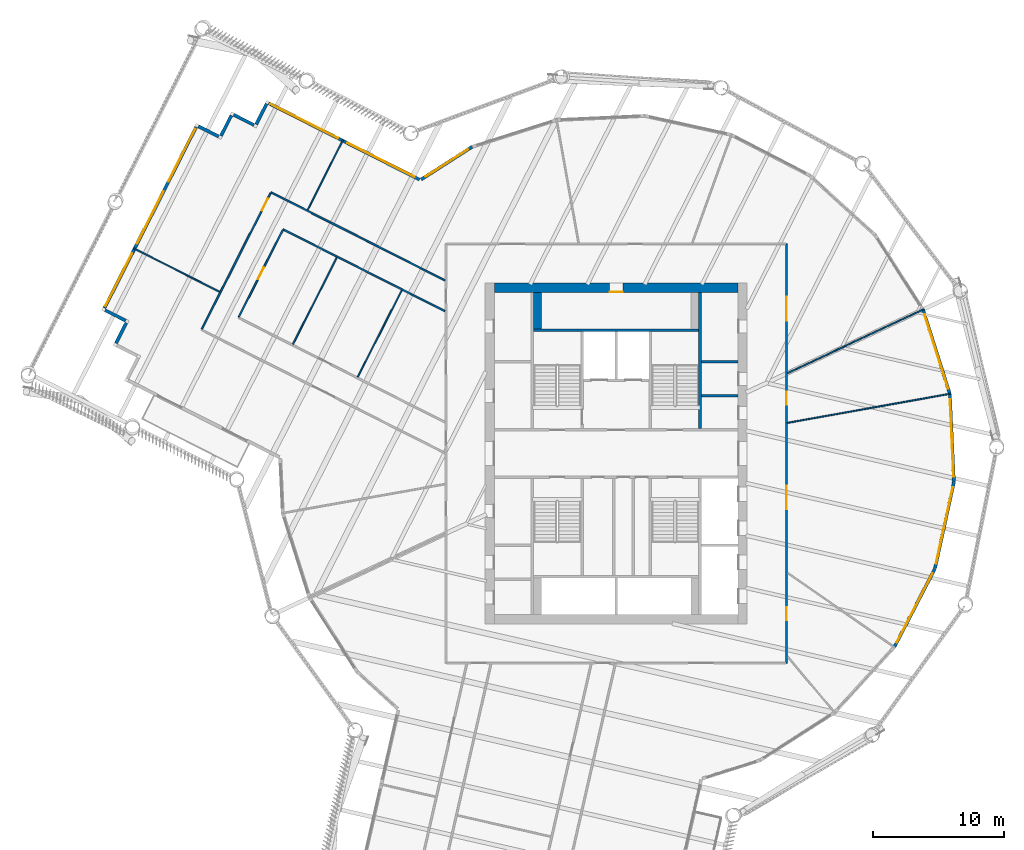
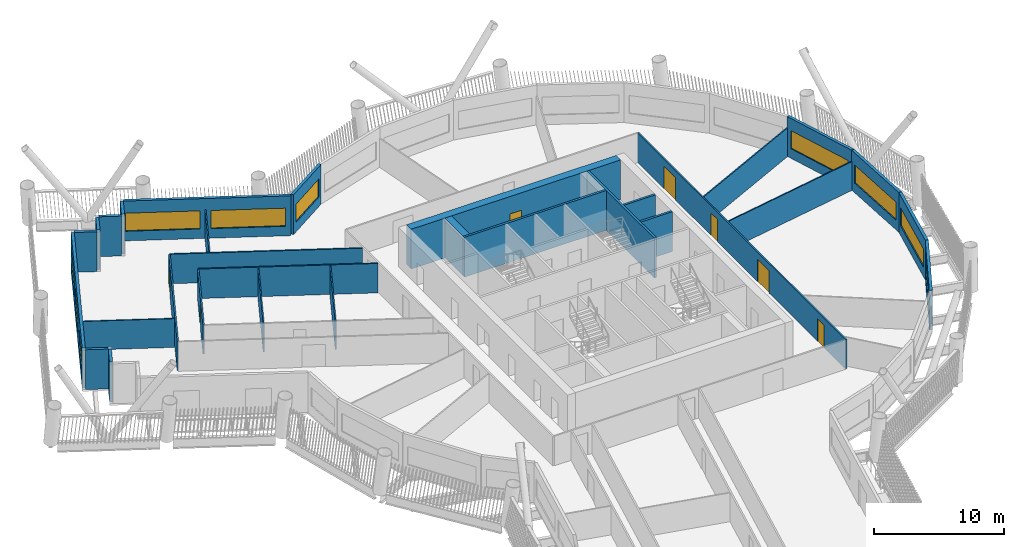
# One storey, part 6 of 21: 30 walls, 10 windows, 7 doors, 17 openings.
"""IFC4 building model written with IfcOpenShell, lengths in metres."""

from ifc_helpers import new_model, si_unit, direction, frame, frame_2d, origin, place, context, subcontext, project, spatial, rectangle, extrude, material, layer, layer_set, type_object, element, fill, save


model = new_model("IFC4")

# Units and contexts
model_context = context("Model", 3, precision=1e-05, world=origin(), true_north=direction((0.0, 1.0)))
body_context = subcontext(model_context, "Body", "Model", "MODEL_VIEW")
ifc_project = project(units=[si_unit("LENGTHUNIT", "METRE"), si_unit("AREAUNIT", "SQUARE_METRE"), si_unit("VOLUMEUNIT", "CUBIC_METRE"), si_unit("PLANEANGLEUNIT", "RADIAN"), si_unit("MASSUNIT", "GRAM", prefix="KILO")], contexts=[model_context])

# Site, building, storey
site_placement = place(None, origin())
site = spatial("IfcSite", under=ifc_project, at=site_placement, CompositionType="ELEMENT")
building_placement = place(site_placement, origin())
building = spatial("IfcBuilding", under=site, at=building_placement, Name="Tarsis Ring Headquarters", CompositionType="ELEMENT")
storey_placement = place(building_placement, frame((0.0, 0.0, 171.0)))
storey = spatial("IfcBuildingStorey", under=building, at=storey_placement, Name="L39", CompositionType="ELEMENT", Elevation=171.0)

# Walls
ifc_material_1 = material(Name="Blockwork", Category="masonry")
ifc_layer_1 = layer(ifc_material_1, 0.199951171875)
ifc_layer_set_1 = layer_set([ifc_layer_1], Name="Core blockwork wall 200")
wall_type_1 = type_object("IfcWallType", Name="Core blockwork wall 200", PredefinedType="PARTITIONING", material=ifc_layer_set_1)
for number, where, z_axis, x_axis, name in (
    (1, (6.5, 4.39990234375, 0.0), (0.0, 0.0, 1.0), (1.0, 0.0, 0.0), "Core partition ED5"),
    (2, (6.5, 7.0, 0.0), (0.0, 0.0, 1.0), (1.0, 0.0, 0.0), "Core partition ED6"),
):
    element("IfcWall", number, at=place(storey_placement, frame(where, z_axis=z_axis, x_axis=x_axis)), inside=storey, type_object=wall_type_1, Name=name, PredefinedType="PARTITIONING", context=body_context, shape_type="SweptSolid", body=[
        extrude(rectangle(XDim=2.800048828125, YDim=0.199951171875, at=frame_2d((1.39990234375, 0.0))), origin(), (0.0, 0.0, 1.0), 3.739990234375),
    ])

# Wall, opening, door
ifc_material_2 = material(Name="Concrete C60/75", Category="concrete")
ifc_layer_2 = layer(ifc_material_2, 0.699951171875)
ifc_layer_set_2 = layer_set([ifc_layer_2], Name="Core wall 700 C60/75")
wall_type_2 = type_object("IfcWallType", Name="Core wall 700 C60/75", PredefinedType="SHEAR", material=ifc_layer_set_2)
wall_1_placement = place(storey_placement, frame((-9.300048828125, 12.64990234375, 0.0), z_axis=(0.0, 0.0, 1.0), x_axis=(1.0, 0.0, 0.0)))
wall_1 = element("IfcWall", 3, at=wall_1_placement, inside=storey, type_object=wall_type_2, Name="Core wall ON", PredefinedType="SHEAR", context=body_context, shape_type="SweptSolid", body=[
    extrude(rectangle(XDim=18.60009765625, YDim=0.699951171875, at=frame_2d((9.300048828125, 0.0))), origin(), (0.0, 0.0, 1.0), 3.739990234375),
])
opening_1_placement = place(wall_1_placement, frame((8.800048828125, 0.0, 0.0)))
opening_1 = element("IfcOpeningElement", 4, at=opening_1_placement, cuts=wall_1, Name="Opening L39-C15", PredefinedType="OPENING", context=body_context, shape_type="SweptSolid", body=[
    extrude(rectangle(XDim=1.0, YDim=2.10009765625, at=frame_2d((0.5, 1.050048828125))), frame((0.0, 0.35986328125, 0.0), z_axis=(0.0, -1.0, 0.0), x_axis=(1.0, 0.0, 0.0)), (0.0, 0.0, 1.0), 0.719970703125),
])
ifc_material_3 = material(Name="Steel S355", Category="steel")
door_type_1 = type_object("IfcDoorType", Name="Core room door 1000x2100", OperationType="SINGLE_SWING_LEFT", PredefinedType="DOOR", material=ifc_material_3)
door_1_placement = place(opening_1_placement, origin())
door_1 = element("IfcDoor", 5, at=door_1_placement, inside=storey, type_object=door_type_1, Name="Core room door L39", OperationType="SINGLE_SWING_LEFT", OverallHeight=2.10009765625, OverallWidth=1.0, PredefinedType="DOOR", context=body_context, shape_type="SweptSolid", body=[
    extrude(rectangle(XDim=1.0, YDim=2.10009765625, at=frame_2d((0.5, 1.050048828125))), frame((0.0, -0.2998046875, 0.0), z_axis=(0.0, -1.0, 0.0), x_axis=(1.0, 0.0, 0.0)), (0.0, 0.0, 1.0), 0.050048828125),
])
fill(opening_1, door_1)

# Walls
ifc_material_4 = material(Name="Gypsum board on steel studs", Category="steel")
ifc_layer_3 = layer(ifc_material_4, 0.10009765625)
ifc_layer_set_3 = layer_set([ifc_layer_3], Name="FL partition 100 unrated")
wall_type_3 = type_object("IfcWallType", Name="FL partition 100 unrated", PredefinedType="PARTITIONING", material=ifc_layer_set_3)
wall_2_placement = place(storey_placement, frame((13.06884765625, 2.33740234375, 0.0), z_axis=(0.0, 0.0, 1.0), x_axis=(0.984382770142, 0.176041364025, 0.0)))
element("IfcWall", 6, at=wall_2_placement, inside=storey, type_object=wall_type_3, Name="Partition PW3", PredefinedType="PARTITIONING", context=body_context, shape_type="SweptSolid", body=[
    extrude(rectangle(XDim=12.671630859375, YDim=0.10009765625, at=frame_2d((6.3359375, 0.0))), origin(), (0.0, 0.0, 1.0), 2.699951171875),
])
wall_3_placement = place(storey_placement, frame((13.072509765625, 6.134765625, 0.0), z_axis=(0.0, 0.0, 1.0), x_axis=(0.905275910624, 0.424824111421, 0.0)))
element("IfcWall", 7, at=wall_3_placement, inside=storey, type_object=wall_type_3, Name="Partition PW3", PredefinedType="PARTITIONING", context=body_context, shape_type="SweptSolid", body=[
    extrude(rectangle(XDim=11.507568359375, YDim=0.10009765625, at=frame_2d((5.75390625, 0.0))), origin(), (0.0, 0.0, 1.0), 2.699951171875),
])
for number, where, z_axis, x_axis, name in (
    (8, (-24.683837890625, 8.342529296875, 0.0), (0.0, 0.0, 1.0), (0.451827244933, 0.892105453821, 0.0), "Partition PW3"),
    (9, (-19.732666015625, 5.8349609375, 0.0), (0.0, 0.0, 1.0), (0.451827244933, 0.892105453821, 0.0), "Partition PW3"),
):
    element("IfcWall", number, at=place(storey_placement, frame(where, z_axis=z_axis, x_axis=x_axis)), inside=storey, type_object=wall_type_3, Name=name, PredefinedType="PARTITIONING", context=body_context, shape_type="SweptSolid", body=[
        extrude(rectangle(XDim=7.419921875, YDim=0.10009765625, at=frame_2d((3.7099609375, 0.0))), origin(), (0.0, 0.0, 1.0), 2.699951171875),
    ])
wall_4_placement = place(storey_placement, frame((-36.84619140625, 15.66796875, 0.0), z_axis=(0.0, 0.0, 1.0), x_axis=(0.892106555991, -0.451825068757, 0.0)))
element("IfcWall", 10, at=wall_4_placement, inside=storey, type_object=wall_type_3, Name="Partition PW3", PredefinedType="PARTITIONING", context=body_context, shape_type="SweptSolid", body=[
    extrude(rectangle(XDim=7.360107421875, YDim=0.10009765625, at=frame_2d((3.68017578125, 0.0))), origin(), (0.0, 0.0, 1.0), 2.699951171875),
])
wall_5_placement = place(storey_placement, frame((-23.5576171875, 18.600341796875, 0.0), z_axis=(0.0, 0.0, 1.0), x_axis=(0.451813691299, 0.89211231824, 0.0)))
element("IfcWall", 11, at=wall_5_placement, inside=storey, type_object=wall_type_3, Name="Partition PW3", PredefinedType="PARTITIONING", context=body_context, shape_type="SweptSolid", body=[
    extrude(rectangle(XDim=6.000244140625, YDim=0.10009765625, at=frame_2d((3.0, 0.0))), origin(), (0.0, 0.0, 1.0), 2.699951171875),
])

# Wall, openings, doors
ifc_layer_4 = layer(ifc_material_4, 0.125)
ifc_layer_set_4 = layer_set([ifc_layer_4], Name="FL partition 125 EI 60 H2770")
wall_type_4 = type_object("IfcWallType", Name="FL partition 125 EI 60 H2770", PredefinedType="PARTITIONING", material=ifc_layer_set_4)
wall_6_placement = place(storey_placement, frame((13.0, -15.998046875, 0.0), z_axis=(0.0, 0.0, 1.0), x_axis=(0.0, 1.0, 0.0)))
wall_6 = element("IfcWall", 12, at=wall_6_placement, inside=storey, type_object=wall_type_4, Name="Partition PW1", PredefinedType="PARTITIONING", context=body_context, shape_type="SweptSolid", body=[
    extrude(rectangle(XDim=31.998046875, YDim=0.125, at=frame_2d((15.9990234375, 0.0))), origin(), (0.0, 0.0, 1.0), 2.77001953125),
])
opening_2_placement = place(wall_6_placement, frame((26.1484375, 0.0, 0.0)))
opening_2 = element("IfcOpeningElement", 13, at=opening_2_placement, cuts=wall_6, Name="Opening D39.05", PredefinedType="OPENING", context=body_context, shape_type="SweptSolid", body=[
    extrude(rectangle(XDim=1.800048828125, YDim=2.10009765625, at=frame_2d((0.89990234375, 1.050048828125))), frame((0.0, 0.072509765625, 0.0), z_axis=(0.0, -1.0, 0.0), x_axis=(1.0, 0.0, 0.0)), (0.0, 0.0, 1.0), 0.14501953125),
])
opening_3_placement = place(wall_6_placement, frame((19.7109375, 0.0, 0.0)))
opening_3 = element("IfcOpeningElement", 14, at=opening_3_placement, cuts=wall_6, Name="Opening D39.06", PredefinedType="OPENING", context=body_context, shape_type="SweptSolid", body=[
    extrude(rectangle(XDim=1.0, YDim=2.10009765625, at=frame_2d((0.5, 1.050048828125))), frame((0.0, 0.072509765625, 0.0), z_axis=(0.0, -1.0, 0.0), x_axis=(1.0, 0.0, 0.0)), (0.0, 0.0, 1.0), 0.14501953125),
])
opening_4_placement = place(wall_6_placement, frame((11.73291015625, 0.0, 0.0)))
opening_4 = element("IfcOpeningElement", 15, at=opening_4_placement, cuts=wall_6, Name="Opening D39.07", PredefinedType="OPENING", context=body_context, shape_type="SweptSolid", body=[
    extrude(rectangle(XDim=1.800048828125, YDim=2.10009765625, at=frame_2d((0.89990234375, 1.050048828125))), frame((0.0, 0.072509765625, 0.0), z_axis=(0.0, -1.0, 0.0), x_axis=(1.0, 0.0, 0.0)), (0.0, 0.0, 1.0), 0.14501953125),
])
opening_5_placement = place(wall_6_placement, frame((3.26220703125, 0.0, 0.0)))
opening_5 = element("IfcOpeningElement", 16, at=opening_5_placement, cuts=wall_6, Name="Opening D39.08", PredefinedType="OPENING", context=body_context, shape_type="SweptSolid", body=[
    extrude(rectangle(XDim=1.0, YDim=2.10009765625, at=frame_2d((0.5, 1.050048828125))), frame((0.0, 0.072509765625, 0.0), z_axis=(0.0, -1.0, 0.0), x_axis=(1.0, 0.0, 0.0)), (0.0, 0.0, 1.0), 0.14501953125),
])
ifc_material_5 = material(Name="Fire-rated timber door leaf in steel frame", Category="steel")
door_type_2 = type_object("IfcDoorType", Name="FL door FD60-1000", OperationType="NOTDEFINED", PredefinedType="DOOR", material=ifc_material_5)
door_2_placement = place(opening_3_placement, origin())
door_2 = element("IfcDoor", 17, at=door_2_placement, inside=storey, type_object=door_type_2, Name="Door D39.06", OperationType="SINGLE_SWING_LEFT", OverallHeight=2.10009765625, OverallWidth=1.0, PredefinedType="DOOR", context=body_context, shape_type="SweptSolid", body=[
    extrude(rectangle(XDim=1.0, YDim=2.10009765625, at=frame_2d((0.5, 1.050048828125))), frame((0.0, 0.02490234375, 0.0), z_axis=(0.0, -1.0, 0.0), x_axis=(1.0, 0.0, 0.0)), (0.0, 0.0, 1.0), 0.050048828125),
])
fill(opening_3, door_2)
door_3_placement = place(opening_5_placement, origin())
door_3 = element("IfcDoor", 18, at=door_3_placement, inside=storey, type_object=door_type_2, Name="Door D39.08", OperationType="SINGLE_SWING_LEFT", OverallHeight=2.10009765625, OverallWidth=1.0, PredefinedType="DOOR", context=body_context, shape_type="SweptSolid", body=[
    extrude(rectangle(XDim=1.0, YDim=2.10009765625, at=frame_2d((0.5, 1.050048828125))), frame((0.0, 0.02490234375, 0.0), z_axis=(0.0, -1.0, 0.0), x_axis=(1.0, 0.0, 0.0)), (0.0, 0.0, 1.0), 0.050048828125),
])
fill(opening_5, door_3)
door_type_3 = type_object("IfcDoorType", Name="FL door FD60-1800", OperationType="DOUBLE_DOOR_SINGLE_SWING", PredefinedType="DOOR", material=ifc_material_5)
door_4_placement = place(opening_2_placement, origin())
door_4 = element("IfcDoor", 19, at=door_4_placement, inside=storey, type_object=door_type_3, Name="Door D39.05", OperationType="DOUBLE_DOOR_SINGLE_SWING", OverallHeight=2.10009765625, OverallWidth=1.800048828125, PredefinedType="DOOR", context=body_context, shape_type="SweptSolid", body=[
    extrude(rectangle(XDim=1.800048828125, YDim=2.10009765625, at=frame_2d((0.89990234375, 1.050048828125))), frame((0.0, 0.02490234375, 0.0), z_axis=(0.0, -1.0, 0.0), x_axis=(1.0, 0.0, 0.0)), (0.0, 0.0, 1.0), 0.050048828125),
])
fill(opening_2, door_4)
door_5_placement = place(opening_4_placement, origin())
door_5 = element("IfcDoor", 20, at=door_5_placement, inside=storey, type_object=door_type_3, Name="Door D39.07", OperationType="DOUBLE_DOOR_SINGLE_SWING", OverallHeight=2.10009765625, OverallWidth=1.800048828125, PredefinedType="DOOR", context=body_context, shape_type="SweptSolid", body=[
    extrude(rectangle(XDim=1.800048828125, YDim=2.10009765625, at=frame_2d((0.89990234375, 1.050048828125))), frame((0.0, 0.02490234375, 0.0), z_axis=(0.0, -1.0, 0.0), x_axis=(1.0, 0.0, 0.0)), (0.0, 0.0, 1.0), 0.050048828125),
])
fill(opening_4, door_5)

# Walls
wall_7_placement = place(storey_placement, frame((-26.35498046875, 19.938720703125, 0.0), z_axis=(0.0, 0.0, 1.0), x_axis=(0.892108439856, -0.451821349139, 0.0)))
element("IfcWall", 21, at=wall_7_placement, inside=storey, type_object=wall_type_4, Name="Partition PW1", PredefinedType="PARTITIONING", context=body_context, shape_type="SweptSolid", body=[
    extrude(rectangle(XDim=14.880126953125, YDim=0.125, at=frame_2d((7.43994140625, 0.0))), origin(), (0.0, 0.0, 1.0), 2.77001953125),
])
wall_8_placement = place(storey_placement, frame((-25.43017578125, 17.1162109375, 0.0), z_axis=(0.0, 0.0, 1.0), x_axis=(0.892119188368, -0.45180012588, 0.0)))
element("IfcWall", 22, at=wall_8_placement, inside=storey, type_object=wall_type_4, Name="Partition PW1", PredefinedType="PARTITIONING", context=body_context, shape_type="SweptSolid", body=[
    extrude(rectangle(XDim=13.84326171875, YDim=0.125, at=frame_2d((6.921630859375, 0.0))), origin(), (0.0, 0.0, 1.0), 2.77001953125),
])

# Wall, opening, door
wall_9_placement = place(storey_placement, frame((-31.64111328125, 9.500732421875, 0.0), z_axis=(0.0, 0.0, 1.0), x_axis=(0.451805231909, 0.89211660248, 0.0)))
wall_9 = element("IfcWall", 23, at=wall_9_placement, inside=storey, type_object=wall_type_4, Name="Partition PW1", PredefinedType="PARTITIONING", context=body_context, shape_type="SweptSolid", body=[
    extrude(rectangle(XDim=11.64013671875, YDim=0.125, at=frame_2d((5.820068359375, 0.0))), origin(), (0.0, 0.0, 1.0), 2.77001953125),
])
opening_6_placement = place(wall_9_placement, frame((10.14990234375, 0.0, 0.0)))
opening_6 = element("IfcOpeningElement", 24, at=opening_6_placement, cuts=wall_9, Name="Opening D39.02", PredefinedType="OPENING", context=body_context, shape_type="SweptSolid", body=[
    extrude(rectangle(XDim=1.0, YDim=2.10009765625, at=frame_2d((0.5, 1.050048828125))), frame((0.0, 0.072509765625, 0.0), z_axis=(0.0, -1.0, 0.0), x_axis=(1.0, 0.0, 0.0)), (0.0, 0.0, 1.0), 0.14501953125),
])
door_6_placement = place(opening_6_placement, origin())
door_6 = element("IfcDoor", 25, at=door_6_placement, inside=storey, type_object=door_type_2, Name="Door D39.02", OperationType="SINGLE_SWING_LEFT", OverallHeight=2.10009765625, OverallWidth=1.0, PredefinedType="DOOR", context=body_context, shape_type="SweptSolid", body=[
    extrude(rectangle(XDim=1.0, YDim=2.10009765625, at=frame_2d((0.5, 1.050048828125))), frame((0.0, 0.02490234375, 0.0), z_axis=(0.0, -1.0, 0.0), x_axis=(1.0, 0.0, 0.0)), (0.0, 0.0, 1.0), 0.050048828125),
])
fill(opening_6, door_6)

wall_10_placement = place(storey_placement, frame((-28.81884765625, 10.425537109375, 0.0), z_axis=(0.0, 0.0, 1.0), x_axis=(0.451827962532, 0.892105090376, 0.0)))
wall_10 = element("IfcWall", 26, at=wall_10_placement, inside=storey, type_object=wall_type_4, Name="Partition PW1", PredefinedType="PARTITIONING", context=body_context, shape_type="SweptSolid", body=[
    extrude(rectangle(XDim=7.43994140625, YDim=0.125, at=frame_2d((3.719970703125, 0.0))), origin(), (0.0, 0.0, 1.0), 2.77001953125),
])
opening_7_placement = place(wall_10_placement, frame((3.219970703125, 0.0, 0.0)))
opening_7 = element("IfcOpeningElement", 27, at=opening_7_placement, cuts=wall_10, Name="Opening D39.17", PredefinedType="OPENING", context=body_context, shape_type="SweptSolid", body=[
    extrude(rectangle(XDim=1.0, YDim=2.10009765625, at=frame_2d((0.5, 1.050048828125))), frame((0.0, 0.072509765625, 0.0), z_axis=(0.0, -1.0, 0.0), x_axis=(1.0, 0.0, 0.0)), (0.0, 0.0, 1.0), 0.14501953125),
])
door_7_placement = place(opening_7_placement, origin())
door_7 = element("IfcDoor", 28, at=door_7_placement, inside=storey, type_object=door_type_2, Name="Door D39.17", OperationType="SINGLE_SWING_RIGHT", OverallHeight=2.10009765625, OverallWidth=1.0, PredefinedType="DOOR", context=body_context, shape_type="SweptSolid", body=[
    extrude(rectangle(XDim=1.0, YDim=2.10009765625, at=frame_2d((0.5, 1.050048828125))), frame((0.0, 0.02490234375, 0.0), z_axis=(0.0, -1.0, 0.0), x_axis=(1.0, 0.0, 0.0)), (0.0, 0.0, 1.0), 0.050048828125),
])
fill(opening_7, door_7)

# Wall, opening, window
ifc_material_6 = material(Name="Terracotta clad insulated panel wall", Category="masonry")
ifc_layer_5 = layer(ifc_material_6, 0.25)
ifc_layer_set_5 = layer_set([ifc_layer_5], Name="Facade wall terracotta panel 250")
wall_type_5 = type_object("IfcWallType", Name="Facade wall terracotta panel 250", PredefinedType="STANDARD", material=ifc_layer_set_5)
wall_11_placement = place(storey_placement, frame((21.238525390625, -14.774169921875, 0.0), z_axis=(0.0, 0.0, 1.0), x_axis=(0.45959287136, 0.888129716086, 0.0)))
wall_11 = element("IfcWall", 29, at=wall_11_placement, inside=storey, type_object=wall_type_5, Name="External wall L39-20", PredefinedType="STANDARD", context=body_context, shape_type="SweptSolid", body=[
    extrude(rectangle(XDim=6.721435546875, YDim=0.25, at=frame_2d((3.36083984375, 0.0))), origin(), (0.0, 0.0, 1.0), 3.739990234375),
])
opening_8_placement = place(wall_11_placement, frame((0.3857421875, 0.0, 0.89990234375)))
opening_8 = element("IfcOpeningElement", 30, at=opening_8_placement, cuts=wall_11, Name="Opening WN07", PredefinedType="OPENING", context=body_context, shape_type="SweptSolid", body=[
    extrude(rectangle(XDim=5.949951171875, YDim=1.699951171875, at=frame_2d((2.97509765625, 0.85009765625))), frame((0.0, 0.135009765625, 0.0), z_axis=(0.0, -1.0, 0.0), x_axis=(1.0, 0.0, 0.0)), (0.0, 0.0, 1.0), 0.27001953125),
])
ifc_material_7 = material(Name="Aluminium framed double glazing", Category="aluminium")
window_type_1 = type_object("IfcWindowType", Name="Facade window 5950 x 1700", PartitioningType="SINGLE_PANEL", PredefinedType="WINDOW", material=ifc_material_7)
window_1_placement = place(opening_8_placement, origin())
window_1 = element("IfcWindow", 31, at=window_1_placement, inside=storey, type_object=window_type_1, Name="Window L39-20.1", OverallHeight=1.699951171875, OverallWidth=5.949951171875, PartitioningType="SINGLE_PANEL", PredefinedType="WINDOW", context=body_context, shape_type="SweptSolid", body=[
    extrude(rectangle(XDim=5.949951171875, YDim=1.699951171875, at=frame_2d((2.97509765625, 0.85009765625))), frame((0.0, 0.030029296875, 0.0), z_axis=(0.0, -1.0, 0.0), x_axis=(1.0, 0.0, 0.0)), (0.0, 0.0, 1.0), 0.06005859375),
])
fill(opening_8, window_1)

wall_12_placement = place(storey_placement, frame((24.338623046875, -8.77392578125, 0.0), z_axis=(0.0, 0.0, 1.0), x_axis=(0.214048919685, 0.976822941982, 0.0)))
wall_12 = element("IfcWall", 32, at=wall_12_placement, inside=storey, type_object=wall_type_5, Name="External wall L39-21", PredefinedType="STANDARD", context=body_context, shape_type="SweptSolid", body=[
    extrude(rectangle(XDim=6.721435546875, YDim=0.25, at=frame_2d((3.36083984375, 0.0))), origin(), (0.0, 0.0, 1.0), 3.739990234375),
])
opening_9_placement = place(wall_12_placement, frame((0.3857421875, 0.0, 0.89990234375)))
opening_9 = element("IfcOpeningElement", 33, at=opening_9_placement, cuts=wall_12, Name="Opening WN07", PredefinedType="OPENING", context=body_context, shape_type="SweptSolid", body=[
    extrude(rectangle(XDim=5.949951171875, YDim=1.699951171875, at=frame_2d((2.97509765625, 0.85009765625))), frame((0.0, 0.135009765625, 0.0), z_axis=(0.0, -1.0, 0.0), x_axis=(1.0, 0.0, 0.0)), (0.0, 0.0, 1.0), 0.27001953125),
])
window_2_placement = place(opening_9_placement, origin())
window_2 = element("IfcWindow", 34, at=window_2_placement, inside=storey, type_object=window_type_1, Name="Window L39-21.1", OverallHeight=1.699951171875, OverallWidth=5.949951171875, PartitioningType="SINGLE_PANEL", PredefinedType="WINDOW", context=body_context, shape_type="SweptSolid", body=[
    extrude(rectangle(XDim=5.949951171875, YDim=1.699951171875, at=frame_2d((2.97509765625, 0.85009765625))), frame((0.0, 0.030029296875, 0.0), z_axis=(0.0, -1.0, 0.0), x_axis=(1.0, 0.0, 0.0)), (0.0, 0.0, 1.0), 0.06005859375),
])
fill(opening_9, window_2)

wall_13_placement = place(storey_placement, frame((25.780029296875, -2.175537109375, 0.0), z_axis=(0.0, 0.0, 1.0), x_axis=(-0.046056811371, 0.998938822014, 0.0)))
wall_13 = element("IfcWall", 35, at=wall_13_placement, inside=storey, type_object=wall_type_5, Name="External wall L39-22", PredefinedType="STANDARD", context=body_context, shape_type="SweptSolid", body=[
    extrude(rectangle(XDim=6.721435546875, YDim=0.25, at=frame_2d((3.36083984375, 0.0))), origin(), (0.0, 0.0, 1.0), 3.739990234375),
])
opening_10_placement = place(wall_13_placement, frame((0.3857421875, 0.0, 0.89990234375)))
opening_10 = element("IfcOpeningElement", 36, at=opening_10_placement, cuts=wall_13, Name="Opening WN07", PredefinedType="OPENING", context=body_context, shape_type="SweptSolid", body=[
    extrude(rectangle(XDim=5.949951171875, YDim=1.699951171875, at=frame_2d((2.97509765625, 0.85009765625))), frame((0.0, 0.135009765625, 0.0), z_axis=(0.0, -1.0, 0.0), x_axis=(1.0, 0.0, 0.0)), (0.0, 0.0, 1.0), 0.27001953125),
])
window_3_placement = place(opening_10_placement, origin())
window_3 = element("IfcWindow", 37, at=window_3_placement, inside=storey, type_object=window_type_1, Name="Window L39-22.1", OverallHeight=1.699951171875, OverallWidth=5.949951171875, PartitioningType="SINGLE_PANEL", PredefinedType="WINDOW", context=body_context, shape_type="SweptSolid", body=[
    extrude(rectangle(XDim=5.949951171875, YDim=1.699951171875, at=frame_2d((2.97509765625, 0.85009765625))), frame((0.0, 0.030029296875, 0.0), z_axis=(0.0, -1.0, 0.0), x_axis=(1.0, 0.0, 0.0)), (0.0, 0.0, 1.0), 0.06005859375),
])
fill(opening_10, window_3)

wall_14_placement = place(storey_placement, frame((25.46484375, 4.57080078125, 0.0), z_axis=(0.0, 0.0, 1.0), x_axis=(-0.303034240795, 0.952979668674, 0.0)))
wall_14 = element("IfcWall", 38, at=wall_14_placement, inside=storey, type_object=wall_type_5, Name="External wall L39-23", PredefinedType="STANDARD", context=body_context, shape_type="SweptSolid", body=[
    extrude(rectangle(XDim=6.7216796875, YDim=0.25, at=frame_2d((3.36083984375, 0.0))), origin(), (0.0, 0.0, 1.0), 3.739990234375),
])
opening_11_placement = place(wall_14_placement, frame((0.3857421875, 0.0, 0.89990234375)))
opening_11 = element("IfcOpeningElement", 39, at=opening_11_placement, cuts=wall_14, Name="Opening WN07", PredefinedType="OPENING", context=body_context, shape_type="SweptSolid", body=[
    extrude(rectangle(XDim=5.949951171875, YDim=1.699951171875, at=frame_2d((2.97509765625, 0.85009765625))), frame((0.0, 0.135009765625, 0.0), z_axis=(0.0, -1.0, 0.0), x_axis=(1.0, 0.0, 0.0)), (0.0, 0.0, 1.0), 0.27001953125),
])
window_4_placement = place(opening_11_placement, origin())
window_4 = element("IfcWindow", 40, at=window_4_placement, inside=storey, type_object=window_type_1, Name="Window L39-23.1", OverallHeight=1.699951171875, OverallWidth=5.949951171875, PartitioningType="SINGLE_PANEL", PredefinedType="WINDOW", context=body_context, shape_type="SweptSolid", body=[
    extrude(rectangle(XDim=5.949951171875, YDim=1.699951171875, at=frame_2d((2.97509765625, 0.85009765625))), frame((0.0, 0.030029296875, 0.0), z_axis=(0.0, -1.0, 0.0), x_axis=(1.0, 0.0, 0.0)), (0.0, 0.0, 1.0), 0.06005859375),
])
fill(opening_11, window_4)

wall_15_placement = place(storey_placement, frame((-11.005859375, 23.4140625, 0.0), z_axis=(0.0, 0.0, 1.0), x_axis=(-0.842077397742, -0.539356705912, 0.0)))
wall_15 = element("IfcWall", 41, at=wall_15_placement, inside=storey, type_object=wall_type_5, Name="External wall L39-30", PredefinedType="STANDARD", context=body_context, shape_type="SweptSolid", body=[
    extrude(rectangle(XDim=4.617919921875, YDim=0.25, at=frame_2d((2.30908203125, 0.0))), origin(), (0.0, 0.0, 1.0), 3.739990234375),
])
opening_12_placement = place(wall_15_placement, frame((0.367431640625, 0.0, 0.89990234375)))
opening_12 = element("IfcOpeningElement", 42, at=opening_12_placement, cuts=wall_15, Name="Opening WN02", PredefinedType="OPENING", context=body_context, shape_type="SweptSolid", body=[
    extrude(rectangle(XDim=3.85009765625, YDim=1.699951171875, at=frame_2d((1.925048828125, 0.85009765625))), frame((0.0, 0.135009765625, 0.0), z_axis=(0.0, -1.0, 0.0), x_axis=(1.0, 0.0, 0.0)), (0.0, 0.0, 1.0), 0.27001953125),
])
window_type_2 = type_object("IfcWindowType", Name="Facade window 3850 x 1700", PartitioningType="SINGLE_PANEL", PredefinedType="WINDOW", material=ifc_material_7)
window_5_placement = place(opening_12_placement, origin())
window_5 = element("IfcWindow", 43, at=window_5_placement, inside=storey, type_object=window_type_2, Name="Window L39-30.1", OverallHeight=1.699951171875, OverallWidth=3.85009765625, PartitioningType="SINGLE_PANEL", PredefinedType="WINDOW", context=body_context, shape_type="SweptSolid", body=[
    extrude(rectangle(XDim=3.85009765625, YDim=1.699951171875, at=frame_2d((1.925048828125, 0.85009765625))), frame((0.0, 0.030029296875, 0.0), z_axis=(0.0, -1.0, 0.0), x_axis=(1.0, 0.0, 0.0)), (0.0, 0.0, 1.0), 0.06005859375),
])
fill(opening_12, window_5)

# Wall, openings, windows
wall_16_placement = place(storey_placement, frame((-15.018310546875, 20.917236328125, 0.0), z_axis=(0.0, 0.0, 1.0), x_axis=(-0.892118057342, 0.451802359185, 0.0)))
wall_16 = element("IfcWall", 44, at=wall_16_placement, inside=storey, type_object=wall_type_5, Name="External wall L39-31", PredefinedType="STANDARD", context=body_context, shape_type="SweptSolid", body=[
    extrude(rectangle(XDim=12.9013671875, YDim=0.25, at=frame_2d((6.45068359375, 0.0))), origin(), (0.0, 0.0, 1.0), 3.739990234375),
])
opening_13_placement = place(wall_16_placement, frame((0.412841796875, 0.0, 0.89990234375)))
opening_13 = element("IfcOpeningElement", 45, at=opening_13_placement, cuts=wall_16, Name="Opening WN06", PredefinedType="OPENING", context=body_context, shape_type="SweptSolid", body=[
    extrude(rectangle(XDim=5.75, YDim=1.699951171875, at=frame_2d((2.875, 0.85009765625))), frame((0.0, 0.135009765625, 0.0), z_axis=(0.0, -1.0, 0.0), x_axis=(1.0, 0.0, 0.0)), (0.0, 0.0, 1.0), 0.27001953125),
])
opening_14_placement = place(wall_16_placement, frame((6.988525390625, 0.0, 0.89990234375)))
opening_14 = element("IfcOpeningElement", 46, at=opening_14_placement, cuts=wall_16, Name="Opening WN06", PredefinedType="OPENING", context=body_context, shape_type="SweptSolid", body=[
    extrude(rectangle(XDim=5.75, YDim=1.699951171875, at=frame_2d((2.875, 0.85009765625))), frame((0.0, 0.135009765625, 0.0), z_axis=(0.0, -1.0, 0.0), x_axis=(1.0, 0.0, 0.0)), (0.0, 0.0, 1.0), 0.27001953125),
])
window_type_3 = type_object("IfcWindowType", Name="Facade window 5750 x 1700", PartitioningType="SINGLE_PANEL", PredefinedType="WINDOW", material=ifc_material_7)
window_6_placement = place(opening_13_placement, origin())
window_6 = element("IfcWindow", 47, at=window_6_placement, inside=storey, type_object=window_type_3, Name="Window L39-31.1", OverallHeight=1.699951171875, OverallWidth=5.75, PartitioningType="SINGLE_PANEL", PredefinedType="WINDOW", context=body_context, shape_type="SweptSolid", body=[
    extrude(rectangle(XDim=5.75, YDim=1.699951171875, at=frame_2d((2.875, 0.85009765625))), frame((0.0, 0.030029296875, 0.0), z_axis=(0.0, -1.0, 0.0), x_axis=(1.0, 0.0, 0.0)), (0.0, 0.0, 1.0), 0.06005859375),
])
fill(opening_13, window_6)
window_7_placement = place(opening_14_placement, origin())
window_7 = element("IfcWindow", 48, at=window_7_placement, inside=storey, type_object=window_type_3, Name="Window L39-31.2", OverallHeight=1.699951171875, OverallWidth=5.75, PartitioningType="SINGLE_PANEL", PredefinedType="WINDOW", context=body_context, shape_type="SweptSolid", body=[
    extrude(rectangle(XDim=5.75, YDim=1.699951171875, at=frame_2d((2.875, 0.85009765625))), frame((0.0, 0.030029296875, 0.0), z_axis=(0.0, -1.0, 0.0), x_axis=(1.0, 0.0, 0.0)), (0.0, 0.0, 1.0), 0.06005859375),
])
fill(opening_14, window_7)

# Walls
wall_17_placement = place(storey_placement, frame((-26.69580078125, 26.691162109375, 0.0), z_axis=(0.0, 0.0, 1.0), x_axis=(-0.451727954529, -0.892155734778, 0.0)))
element("IfcWall", 49, at=wall_17_placement, inside=storey, type_object=wall_type_5, Name="External wall L39-32", PredefinedType="STANDARD", context=body_context, shape_type="SweptSolid", body=[
    extrude(rectangle(XDim=1.75, YDim=0.25, at=frame_2d((0.875, 0.0))), origin(), (0.0, 0.0, 1.0), 3.739990234375),
])
wall_18_placement = place(storey_placement, frame((-27.654541015625, 25.074951171875, 0.0), z_axis=(0.0, 0.0, 1.0), x_axis=(-0.892127261653, 0.451784184115, 0.0)))
element("IfcWall", 50, at=wall_18_placement, inside=storey, type_object=wall_type_5, Name="External wall L39-33", PredefinedType="STANDARD", context=body_context, shape_type="SweptSolid", body=[
    extrude(rectangle(XDim=1.749755859375, YDim=0.25, at=frame_2d((0.875, 0.0))), origin(), (0.0, 0.0, 1.0), 3.739990234375),
])
for number, where, z_axis, x_axis, name in (
    (51, (-29.383544921875, 25.810546875, 0.0), (0.0, 0.0, 1.0), (-0.451838984547, -0.892099507927, 0.0), "External wall L39-34"),
    (52, (-30.34228515625, 24.1943359375, 0.0), (0.0, 0.0, 1.0), (-0.892155734778, 0.451727954529, 0.0), "External wall L39-35"),
):
    element("IfcWall", number, at=place(storey_placement, frame(where, z_axis=z_axis, x_axis=x_axis)), inside=storey, type_object=wall_type_5, Name=name, PredefinedType="STANDARD", context=body_context, shape_type="SweptSolid", body=[
        extrude(rectangle(XDim=1.75, YDim=0.25, at=frame_2d((0.875, 0.0))), origin(), (0.0, 0.0, 1.0), 3.739990234375),
    ])

# Wall, openings, windows
wall_19_placement = place(storey_placement, frame((-32.071533203125, 24.929931640625, 0.0), z_axis=(0.0, 0.0, 1.0), x_axis=(-0.451800680494, -0.892118907492, 0.0)))
wall_19 = element("IfcWall", 53, at=wall_19_placement, inside=storey, type_object=wall_type_5, Name="External wall L39-36", PredefinedType="STANDARD", context=body_context, shape_type="SweptSolid", body=[
    extrude(rectangle(XDim=15.5, YDim=0.25, at=frame_2d((7.75, 0.0))), origin(), (0.0, 0.0, 1.0), 3.739990234375),
])
opening_15_placement = place(wall_19_placement, frame((0.166748046875, 0.0, 0.89990234375)))
opening_15 = element("IfcOpeningElement", 54, at=opening_15_placement, cuts=wall_19, Name="Opening WN04", PredefinedType="OPENING", context=body_context, shape_type="SweptSolid", body=[
    extrude(rectangle(XDim=4.5, YDim=1.699951171875, at=frame_2d((2.25, 0.85009765625))), frame((0.0, 0.135009765625, 0.0), z_axis=(0.0, -1.0, 0.0), x_axis=(1.0, 0.0, 0.0)), (0.0, 0.0, 1.0), 0.27001953125),
])
opening_16_placement = place(wall_19_placement, frame((5.5, 0.0, 0.89990234375)))
opening_16 = element("IfcOpeningElement", 55, at=opening_16_placement, cuts=wall_19, Name="Opening WN04", PredefinedType="OPENING", context=body_context, shape_type="SweptSolid", body=[
    extrude(rectangle(XDim=4.5, YDim=1.699951171875, at=frame_2d((2.25, 0.85009765625))), frame((0.0, 0.135009765625, 0.0), z_axis=(0.0, -1.0, 0.0), x_axis=(1.0, 0.0, 0.0)), (0.0, 0.0, 1.0), 0.27001953125),
])
opening_17_placement = place(wall_19_placement, frame((10.833251953125, 0.0, 0.89990234375)))
opening_17 = element("IfcOpeningElement", 56, at=opening_17_placement, cuts=wall_19, Name="Opening WN04", PredefinedType="OPENING", context=body_context, shape_type="SweptSolid", body=[
    extrude(rectangle(XDim=4.5, YDim=1.699951171875, at=frame_2d((2.25, 0.85009765625))), frame((0.0, 0.135009765625, 0.0), z_axis=(0.0, -1.0, 0.0), x_axis=(1.0, 0.0, 0.0)), (0.0, 0.0, 1.0), 0.27001953125),
])
window_type_4 = type_object("IfcWindowType", Name="Facade window 4500 x 1700", PartitioningType="SINGLE_PANEL", PredefinedType="WINDOW", material=ifc_material_7)
window_8_placement = place(opening_15_placement, origin())
window_8 = element("IfcWindow", 57, at=window_8_placement, inside=storey, type_object=window_type_4, Name="Window L39-36.1", OverallHeight=1.699951171875, OverallWidth=4.5, PartitioningType="SINGLE_PANEL", PredefinedType="WINDOW", context=body_context, shape_type="SweptSolid", body=[
    extrude(rectangle(XDim=4.5, YDim=1.699951171875, at=frame_2d((2.25, 0.85009765625))), frame((0.0, 0.030029296875, 0.0), z_axis=(0.0, -1.0, 0.0), x_axis=(1.0, 0.0, 0.0)), (0.0, 0.0, 1.0), 0.06005859375),
])
fill(opening_15, window_8)
window_9_placement = place(opening_16_placement, origin())
window_9 = element("IfcWindow", 58, at=window_9_placement, inside=storey, type_object=window_type_4, Name="Window L39-36.2", OverallHeight=1.699951171875, OverallWidth=4.5, PartitioningType="SINGLE_PANEL", PredefinedType="WINDOW", context=body_context, shape_type="SweptSolid", body=[
    extrude(rectangle(XDim=4.5, YDim=1.699951171875, at=frame_2d((2.25, 0.85009765625))), frame((0.0, 0.030029296875, 0.0), z_axis=(0.0, -1.0, 0.0), x_axis=(1.0, 0.0, 0.0)), (0.0, 0.0, 1.0), 0.06005859375),
])
fill(opening_16, window_9)
window_10_placement = place(opening_17_placement, origin())
window_10 = element("IfcWindow", 59, at=window_10_placement, inside=storey, type_object=window_type_4, Name="Window L39-36.3", OverallHeight=1.699951171875, OverallWidth=4.5, PartitioningType="SINGLE_PANEL", PredefinedType="WINDOW", context=body_context, shape_type="SweptSolid", body=[
    extrude(rectangle(XDim=4.5, YDim=1.699951171875, at=frame_2d((2.25, 0.85009765625))), frame((0.0, 0.030029296875, 0.0), z_axis=(0.0, -1.0, 0.0), x_axis=(1.0, 0.0, 0.0)), (0.0, 0.0, 1.0), 0.06005859375),
])
fill(opening_17, window_10)

# Walls
for number, where, z_axis, x_axis, name in (
    (60, (-39.01953125, 10.93408203125, 0.0), (0.0, 0.0, 1.0), (0.892155734778, -0.451727954529, 0.0), "External wall L39-37"),
    (61, (-37.4033203125, 9.9755859375, 0.0), (0.0, 0.0, 1.0), (-0.451727954529, -0.892155734778, 0.0), "External wall L39-38"),
):
    element("IfcWall", number, at=place(storey_placement, frame(where, z_axis=z_axis, x_axis=x_axis)), inside=storey, type_object=wall_type_5, Name=name, PredefinedType="STANDARD", context=body_context, shape_type="SweptSolid", body=[
        extrude(rectangle(XDim=1.75, YDim=0.25, at=frame_2d((0.875, 0.0))), origin(), (0.0, 0.0, 1.0), 3.739990234375),
    ])
ifc_material_8 = material(Name="Concrete C32/40", Category="concrete")
ifc_layer_6 = layer(ifc_material_8, 0.60009765625)
ifc_layer_set_6 = layer_set([ifc_layer_6], Name="Shaft end wall 600 C32/40")
wall_type_6 = type_object("IfcWallType", Name="Shaft end wall 600 C32/40", PredefinedType="SOLIDWALL", material=ifc_layer_set_6)
wall_20_placement = place(storey_placement, frame((-6.0, 9.5, 0.0), z_axis=(0.0, 0.0, 1.0), x_axis=(0.0, 1.0, 0.0)))
element("IfcWall", 62, at=wall_20_placement, inside=storey, type_object=wall_type_6, Name="Core shaft wall NNE1", PredefinedType="SOLIDWALL", context=body_context, shape_type="SweptSolid", body=[
    extrude(rectangle(XDim=2.800048828125, YDim=0.60009765625, at=frame_2d((1.39990234375, 0.0))), origin(), (0.0, 0.0, 1.0), 3.739990234375),
])
ifc_layer_7 = layer(ifc_material_8, 0.199951171875)
ifc_layer_set_7 = layer_set([ifc_layer_7], Name="Shaft wall 200 C32/40")
wall_type_7 = type_object("IfcWallType", Name="Shaft wall 200 C32/40", PredefinedType="SOLIDWALL", material=ifc_layer_set_7)
wall_21_placement = place(storey_placement, frame((6.39990234375, 1.89990234375, 0.0), z_axis=(0.0, 0.0, 1.0), x_axis=(0.0, 1.0, 0.0)))
element("IfcWall", 63, at=wall_21_placement, inside=storey, type_object=wall_type_7, Name="Core shaft wall EB2", PredefinedType="SOLIDWALL", context=body_context, shape_type="SweptSolid", body=[
    extrude(rectangle(XDim=10.400146484375, YDim=0.199951171875, at=frame_2d((5.2001953125, 0.0))), origin(), (0.0, 0.0, 1.0), 3.739990234375),
])
wall_22_placement = place(storey_placement, frame((-6.300048828125, 9.39990234375, 0.0), z_axis=(0.0, 0.0, 1.0), x_axis=(1.0, 0.0, 0.0)))
element("IfcWall", 64, at=wall_22_placement, inside=storey, type_object=wall_type_7, Name="Core shaft wall NB", PredefinedType="SOLIDWALL", context=body_context, shape_type="SweptSolid", body=[
    extrude(rectangle(XDim=12.60009765625, YDim=0.199951171875, at=frame_2d((6.300048828125, 0.0))), origin(), (0.0, 0.0, 1.0), 3.739990234375),
])

save(model, "model.ifc")
